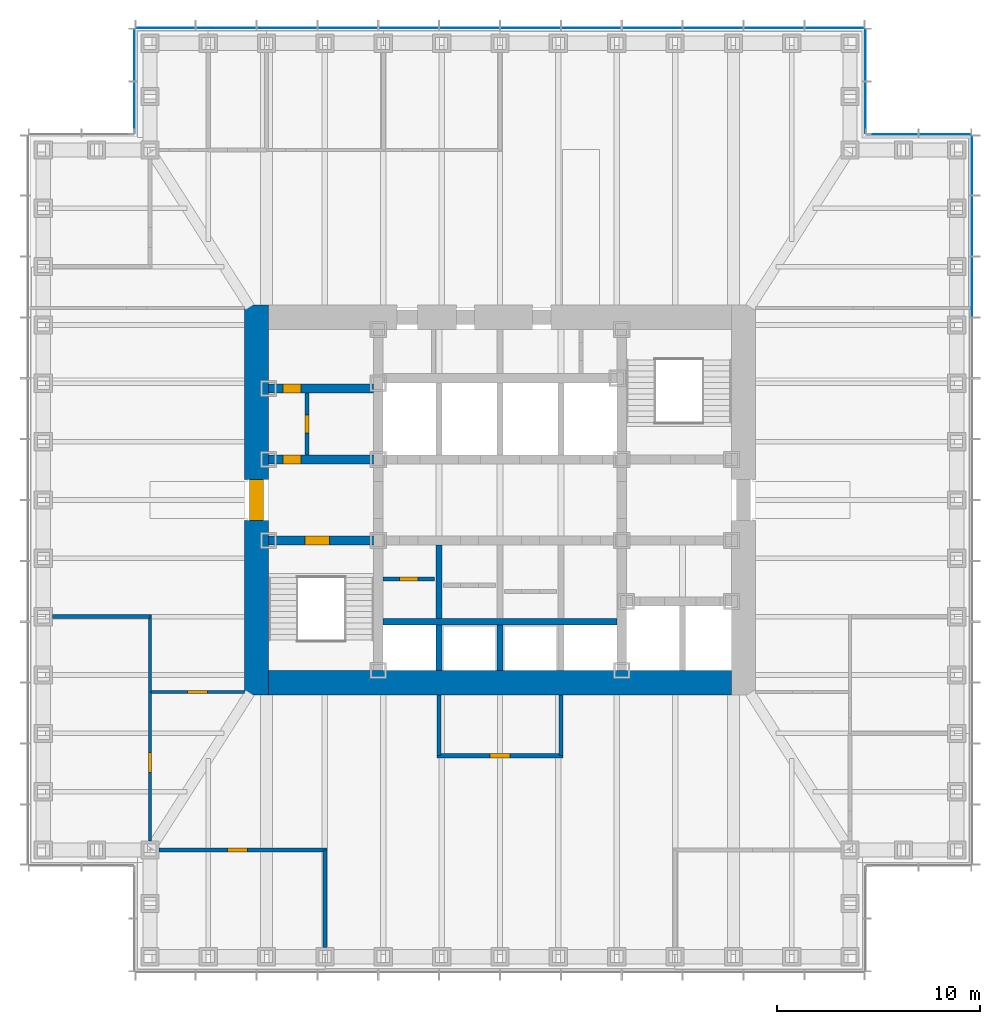
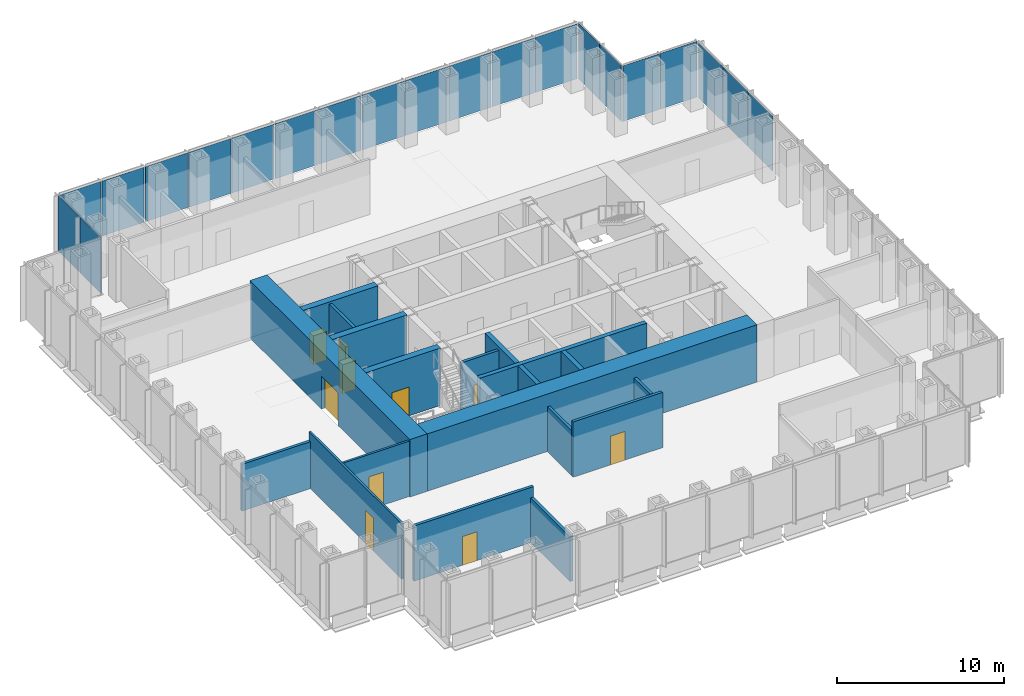
# One storey, part 8 of 16: 21 plates, 19 walls, 10 doors, 10 openings, 5 elements without a shape of their own.
"""IFC4 building model written with IfcOpenShell, lengths in metres."""

from ifc_helpers import new_model, si_unit, direction, frame, frame_2d, origin, origin_2d, place, context, subcontext, project, spatial, rectangle, extrude, material, layer, layer_set, type_object, element, fill, aggregate, save


model = new_model("IFC4")

# Units and contexts
model_context = context("Model", 3, precision=1e-05, world=origin(), true_north=direction((0.0, 1.0)))
body_context = subcontext(model_context, "Body", "Model", "MODEL_VIEW")
ifc_project = project(units=[si_unit("LENGTHUNIT", "METRE"), si_unit("AREAUNIT", "SQUARE_METRE"), si_unit("VOLUMEUNIT", "CUBIC_METRE"), si_unit("PLANEANGLEUNIT", "RADIAN"), si_unit("MASSUNIT", "GRAM", prefix="KILO")], contexts=[model_context])

# Site, building, storey
site_placement = place(None, origin())
site = spatial("IfcSite", under=ifc_project, at=site_placement, CompositionType="ELEMENT")
building_placement = place(site_placement, origin())
building = spatial("IfcBuilding", under=site, at=building_placement, Name="Daluyong Arena Tower", CompositionType="ELEMENT")
storey_placement = place(building_placement, frame((0.0, 0.0, 133.300048828125)))
storey = spatial("IfcBuildingStorey", under=building, at=storey_placement, Name="L29", CompositionType="ELEMENT", Elevation=133.300048828125)

# Curtain wall, plates
ifc_material_1 = material(Name="Bronze anodised aluminium and glass", Category="aluminium")
curtain_wall_type_1 = type_object("IfcCurtainWallType", Name="Curtain wall CW2", PredefinedType="USERDEFINED", material=ifc_material_1)
curtain_wall_1_placement = place(storey_placement, origin())
curtain_wall_1 = element("IfcCurtainWall", 1, at=curtain_wall_1_placement, inside=storey, type_object=curtain_wall_type_1, Name="curtain wall L29 E", ObjectType="UNITISED CURTAIN WALL", PredefinedType="USERDEFINED")
ifc_material_2 = material(Name="Tinted double glazed unit", Category="glass")
ifc_layer_1 = layer(ifc_material_2, 0.031982421875)
ifc_layer_set_1 = layer_set([ifc_layer_1], Name="Tinted double glazed unit")
plate_type_1 = type_object("IfcPlateType", Name="CW2 panel 32", PredefinedType="CURTAIN_PANEL", material=ifc_layer_set_1)
plate_1_placement = place(storey_placement, frame((79.25, 90.5, 0.0), z_axis=(0.0, 0.0, 1.0), x_axis=(0.0, 1.0, 0.0)))
plate_1 = element("IfcPlate", 2, at=plate_1_placement, type_object=plate_type_1, Name="curtain wall L29 E panel 10", PredefinedType="CURTAIN_PANEL", context=body_context, shape_type="SweptSolid", body=[
    extrude(rectangle(XDim=2.919921875, YDim=0.031982421875, at=origin_2d()), origin(), (0.0, 0.0, 1.0), 4.02001953125),
])
plate_2_placement = place(storey_placement, frame((79.25, 93.5, 0.0), z_axis=(0.0, 0.0, 1.0), x_axis=(0.0, 1.0, 0.0)))
plate_2 = element("IfcPlate", 3, at=plate_2_placement, type_object=plate_type_1, Name="curtain wall L29 E panel 11", PredefinedType="CURTAIN_PANEL", context=body_context, shape_type="SweptSolid", body=[
    extrude(rectangle(XDim=2.919921875, YDim=0.031982421875, at=origin_2d()), origin(), (0.0, 0.0, 1.0), 4.02001953125),
])
plate_3_placement = place(storey_placement, frame((79.25, 96.47998046875, 0.0), z_axis=(0.0, 0.0, 1.0), x_axis=(0.0, 1.0, 0.0)))
plate_3 = element("IfcPlate", 4, at=plate_3_placement, type_object=plate_type_1, Name="curtain wall L29 E panel 12", PredefinedType="CURTAIN_PANEL", context=body_context, shape_type="SweptSolid", body=[
    extrude(rectangle(XDim=2.8798828125, YDim=0.031982421875, at=origin_2d()), origin(), (0.0, 0.0, 1.0), 4.02001953125),
])
aggregate(curtain_wall_1, [plate_1, plate_2, plate_3])

curtain_wall_2_placement = place(storey_placement, origin())
curtain_wall_2 = element("IfcCurtainWall", 5, at=curtain_wall_2_placement, inside=storey, type_object=curtain_wall_type_1, Name="curtain wall L29 N", ObjectType="UNITISED CURTAIN WALL", PredefinedType="USERDEFINED")
plate_4_placement = place(storey_placement, frame((72.47998046875, 103.25, 0.0), z_axis=(0.0, 0.0, 1.0), x_axis=(-1.0, 0.0, 0.0)))
plate_4 = element("IfcPlate", 6, at=plate_4_placement, type_object=plate_type_1, Name="curtain wall L29 N panel 1", PredefinedType="CURTAIN_PANEL", context=body_context, shape_type="SweptSolid", body=[
    extrude(rectangle(XDim=2.8798828125, YDim=0.031982421875, at=origin_2d()), origin(), (0.0, 0.0, 1.0), 4.02001953125),
])
plate_5_placement = place(storey_placement, frame((69.5, 103.25, 0.0), z_axis=(0.0, 0.0, 1.0), x_axis=(-1.0, 0.0, 0.0)))
plate_5 = element("IfcPlate", 7, at=plate_5_placement, type_object=plate_type_1, Name="curtain wall L29 N panel 2", PredefinedType="CURTAIN_PANEL", context=body_context, shape_type="SweptSolid", body=[
    extrude(rectangle(XDim=2.919921875, YDim=0.031982421875, at=origin_2d()), origin(), (0.0, 0.0, 1.0), 4.02001953125),
])
plate_6_placement = place(storey_placement, frame((66.5, 103.25, 0.0), z_axis=(0.0, 0.0, 1.0), x_axis=(-1.0, 0.0, 0.0)))
plate_6 = element("IfcPlate", 8, at=plate_6_placement, type_object=plate_type_1, Name="curtain wall L29 N panel 3", PredefinedType="CURTAIN_PANEL", context=body_context, shape_type="SweptSolid", body=[
    extrude(rectangle(XDim=2.919921875, YDim=0.031982421875, at=origin_2d()), origin(), (0.0, 0.0, 1.0), 4.02001953125),
])
plate_7_placement = place(storey_placement, frame((63.5, 103.25, 0.0), z_axis=(0.0, 0.0, 1.0), x_axis=(-1.0, 0.0, 0.0)))
plate_7 = element("IfcPlate", 9, at=plate_7_placement, type_object=plate_type_1, Name="curtain wall L29 N panel 4", PredefinedType="CURTAIN_PANEL", context=body_context, shape_type="SweptSolid", body=[
    extrude(rectangle(XDim=2.919921875, YDim=0.031982421875, at=origin_2d()), origin(), (0.0, 0.0, 1.0), 4.02001953125),
])
plate_8_placement = place(storey_placement, frame((60.5, 103.25, 0.0), z_axis=(0.0, 0.0, 1.0), x_axis=(-1.0, 0.0, 0.0)))
plate_8 = element("IfcPlate", 10, at=plate_8_placement, type_object=plate_type_1, Name="curtain wall L29 N panel 5", PredefinedType="CURTAIN_PANEL", context=body_context, shape_type="SweptSolid", body=[
    extrude(rectangle(XDim=2.919921875, YDim=0.031982421875, at=origin_2d()), origin(), (0.0, 0.0, 1.0), 4.02001953125),
])
plate_9_placement = place(storey_placement, frame((57.5, 103.25, 0.0), z_axis=(0.0, 0.0, 1.0), x_axis=(-1.0, 0.0, 0.0)))
plate_9 = element("IfcPlate", 11, at=plate_9_placement, type_object=plate_type_1, Name="curtain wall L29 N panel 6", PredefinedType="CURTAIN_PANEL", context=body_context, shape_type="SweptSolid", body=[
    extrude(rectangle(XDim=2.919921875, YDim=0.031982421875, at=origin_2d()), origin(), (0.0, 0.0, 1.0), 4.02001953125),
])
plate_10_placement = place(storey_placement, frame((54.5, 103.25, 0.0), z_axis=(0.0, 0.0, 1.0), x_axis=(-1.0, 0.0, 0.0)))
plate_10 = element("IfcPlate", 12, at=plate_10_placement, type_object=plate_type_1, Name="curtain wall L29 N panel 7", PredefinedType="CURTAIN_PANEL", context=body_context, shape_type="SweptSolid", body=[
    extrude(rectangle(XDim=2.919921875, YDim=0.031982421875, at=origin_2d()), origin(), (0.0, 0.0, 1.0), 4.02001953125),
])
plate_11_placement = place(storey_placement, frame((51.5, 103.25, 0.0), z_axis=(0.0, 0.0, 1.0), x_axis=(-1.0, 0.0, 0.0)))
plate_11 = element("IfcPlate", 13, at=plate_11_placement, type_object=plate_type_1, Name="curtain wall L29 N panel 8", PredefinedType="CURTAIN_PANEL", context=body_context, shape_type="SweptSolid", body=[
    extrude(rectangle(XDim=2.919921875, YDim=0.031982421875, at=origin_2d()), origin(), (0.0, 0.0, 1.0), 4.02001953125),
])
plate_12_placement = place(storey_placement, frame((48.5, 103.25, 0.0), z_axis=(0.0, 0.0, 1.0), x_axis=(-1.0, 0.0, 0.0)))
plate_12 = element("IfcPlate", 14, at=plate_12_placement, type_object=plate_type_1, Name="curtain wall L29 N panel 9", PredefinedType="CURTAIN_PANEL", context=body_context, shape_type="SweptSolid", body=[
    extrude(rectangle(XDim=2.919921875, YDim=0.031982421875, at=origin_2d()), origin(), (0.0, 0.0, 1.0), 4.02001953125),
])
plate_13_placement = place(storey_placement, frame((45.5, 103.25, 0.0), z_axis=(0.0, 0.0, 1.0), x_axis=(-1.0, 0.0, 0.0)))
plate_13 = element("IfcPlate", 15, at=plate_13_placement, type_object=plate_type_1, Name="curtain wall L29 N panel 10", PredefinedType="CURTAIN_PANEL", context=body_context, shape_type="SweptSolid", body=[
    extrude(rectangle(XDim=2.919921875, YDim=0.031982421875, at=origin_2d()), origin(), (0.0, 0.0, 1.0), 4.02001953125),
])
plate_14_placement = place(storey_placement, frame((42.5, 103.25, 0.0), z_axis=(0.0, 0.0, 1.0), x_axis=(-1.0, 0.0, 0.0)))
plate_14 = element("IfcPlate", 16, at=plate_14_placement, type_object=plate_type_1, Name="curtain wall L29 N panel 11", PredefinedType="CURTAIN_PANEL", context=body_context, shape_type="SweptSolid", body=[
    extrude(rectangle(XDim=2.919921875, YDim=0.031982421875, at=origin_2d()), origin(), (0.0, 0.0, 1.0), 4.02001953125),
])
plate_15_placement = place(storey_placement, frame((39.52001953125, 103.25, 0.0), z_axis=(0.0, 0.0, 1.0), x_axis=(-1.0, 0.0, 0.0)))
plate_15 = element("IfcPlate", 17, at=plate_15_placement, type_object=plate_type_1, Name="curtain wall L29 N panel 12", PredefinedType="CURTAIN_PANEL", context=body_context, shape_type="SweptSolid", body=[
    extrude(rectangle(XDim=2.8798828125, YDim=0.031982421875, at=origin_2d()), origin(), (0.0, 0.0, 1.0), 4.02001953125),
])
aggregate(curtain_wall_2, [plate_4, plate_5, plate_6, plate_7, plate_8, plate_9, plate_10, plate_11, plate_12, plate_13, plate_14, plate_15])

ifc_material_3 = material(Name="Bronze anodised aluminium and glass", Category="aluminium")
curtain_wall_type_2 = type_object("IfcCurtainWallType", Name="Curtain wall CW7", PredefinedType="USERDEFINED", material=ifc_material_3)
curtain_wall_3_placement = place(storey_placement, origin())
curtain_wall_3 = element("IfcCurtainWall", 18, at=curtain_wall_3_placement, inside=storey, type_object=curtain_wall_type_2, Name="curtain wall L29 NE-N", ObjectType="UNITISED CURTAIN WALL", PredefinedType="USERDEFINED")
ifc_material_4 = material(Name="Tinted double glazed unit", Category="glass")
ifc_layer_2 = layer(ifc_material_4, 0.028076171875)
ifc_layer_set_2 = layer_set([ifc_layer_2], Name="Tinted double glazed unit")
plate_type_2 = type_object("IfcPlateType", Name="CW7 panel 28", PredefinedType="CURTAIN_PANEL", material=ifc_layer_set_2)
plate_16_placement = place(storey_placement, frame((77.922607421875, 98.0, 0.0), z_axis=(0.0, 0.0, 1.0), x_axis=(-1.0, 0.0, 0.0)))
plate_16 = element("IfcPlate", 19, at=plate_16_placement, type_object=plate_type_2, Name="curtain wall L29 NE-N panel 1", PredefinedType="CURTAIN_PANEL", context=body_context, shape_type="SweptSolid", body=[
    extrude(rectangle(XDim=2.534912109375, YDim=0.028076171875, at=origin_2d()), origin(), (0.0, 0.0, 1.0), 4.080078125),
])
plate_17_placement = place(storey_placement, frame((75.327392578125, 98.0, 0.0), z_axis=(0.0, 0.0, 1.0), x_axis=(-1.0, 0.0, 0.0)))
plate_17 = element("IfcPlate", 20, at=plate_17_placement, type_object=plate_type_2, Name="curtain wall L29 NE-N panel 2", PredefinedType="CURTAIN_PANEL", context=body_context, shape_type="SweptSolid", body=[
    extrude(rectangle(XDim=2.534912109375, YDim=0.028076171875, at=origin_2d()), origin(), (0.0, 0.0, 1.0), 4.080078125),
])
aggregate(curtain_wall_3, [plate_16, plate_17])

curtain_wall_4_placement = place(storey_placement, origin())
curtain_wall_4 = element("IfcCurtainWall", 21, at=curtain_wall_4_placement, inside=storey, type_object=curtain_wall_type_2, Name="curtain wall L29 NE-E", ObjectType="UNITISED CURTAIN WALL", PredefinedType="USERDEFINED")
plate_18_placement = place(storey_placement, frame((74.0, 99.327392578125, 0.0), z_axis=(0.0, 0.0, 1.0), x_axis=(0.0, 1.0, 0.0)))
plate_18 = element("IfcPlate", 22, at=plate_18_placement, type_object=plate_type_2, Name="curtain wall L29 NE-E panel 1", PredefinedType="CURTAIN_PANEL", context=body_context, shape_type="SweptSolid", body=[
    extrude(rectangle(XDim=2.534912109375, YDim=0.028076171875, at=origin_2d()), origin(), (0.0, 0.0, 1.0), 4.080078125),
])
plate_19_placement = place(storey_placement, frame((74.0, 101.922607421875, 0.0), z_axis=(0.0, 0.0, 1.0), x_axis=(0.0, 1.0, 0.0)))
plate_19 = element("IfcPlate", 23, at=plate_19_placement, type_object=plate_type_2, Name="curtain wall L29 NE-E panel 2", PredefinedType="CURTAIN_PANEL", context=body_context, shape_type="SweptSolid", body=[
    extrude(rectangle(XDim=2.534912109375, YDim=0.028076171875, at=origin_2d()), origin(), (0.0, 0.0, 1.0), 4.080078125),
])
aggregate(curtain_wall_4, [plate_18, plate_19])

curtain_wall_5_placement = place(storey_placement, origin())
curtain_wall_5 = element("IfcCurtainWall", 24, at=curtain_wall_5_placement, inside=storey, type_object=curtain_wall_type_2, Name="curtain wall L29 NW-W", ObjectType="UNITISED CURTAIN WALL", PredefinedType="USERDEFINED")
plate_20_placement = place(storey_placement, frame((38.0, 101.922607421875, 0.0), z_axis=(0.0, 0.0, 1.0), x_axis=(0.0, -1.0, 0.0)))
plate_20 = element("IfcPlate", 25, at=plate_20_placement, type_object=plate_type_2, Name="curtain wall L29 NW-W panel 1", PredefinedType="CURTAIN_PANEL", context=body_context, shape_type="SweptSolid", body=[
    extrude(rectangle(XDim=2.534912109375, YDim=0.028076171875, at=origin_2d()), origin(), (0.0, 0.0, 1.0), 4.080078125),
])
plate_21_placement = place(storey_placement, frame((38.0, 99.327392578125, 0.0), z_axis=(0.0, 0.0, 1.0), x_axis=(0.0, -1.0, 0.0)))
plate_21 = element("IfcPlate", 26, at=plate_21_placement, type_object=plate_type_2, Name="curtain wall L29 NW-W panel 2", PredefinedType="CURTAIN_PANEL", context=body_context, shape_type="SweptSolid", body=[
    extrude(rectangle(XDim=2.534912109375, YDim=0.028076171875, at=origin_2d()), origin(), (0.0, 0.0, 1.0), 4.080078125),
])
aggregate(curtain_wall_5, [plate_20, plate_21])

# Wall, opening, door
ifc_material_5 = material(Name="Concrete fc' 45 MPa", Category="concrete")
ifc_layer_3 = layer(ifc_material_5, 0.449951171875)
ifc_layer_set_3 = layer_set([ifc_layer_3], Name="Concrete fc' 45 MPa")
wall_type_1 = type_object("IfcWallType", Name="Core inner wall 450", PredefinedType="SHEAR", material=ifc_layer_set_3)
wall_1_placement = place(storey_placement, frame((44.60009765625, 78.0, 0.0), z_axis=(0.0, 0.0, 1.0), x_axis=(1.0, 0.0, 0.0)))
wall_1 = element("IfcWall", 27, at=wall_1_placement, inside=storey, type_object=wall_type_1, Name="core inner wall at L29", PredefinedType="SHEAR", context=body_context, shape_type="SweptSolid", body=[
    extrude(rectangle(XDim=5.1748046875, YDim=0.449951171875, at=frame_2d((2.58740234375, 0.0))), origin(), (0.0, 0.0, 1.0), 4.199951171875),
])
opening_1_placement = place(wall_1_placement, frame((1.800048828125, 0.0, 0.0)))
opening_1 = element("IfcOpeningElement", 28, at=opening_1_placement, cuts=wall_1, Name="Opening 29015", PredefinedType="OPENING", context=body_context, shape_type="SweptSolid", body=[
    extrude(rectangle(XDim=1.199951171875, YDim=2.10009765625, at=frame_2d((0.60009765625, 1.050048828125))), frame((0.0, 0.23486328125, 0.0), z_axis=(0.0, -1.0, 0.0), x_axis=(1.0, 0.0, 0.0)), (0.0, 0.0, 1.0), 0.469970703125),
])
ifc_material_6 = material(Name="Steel door, fire rated", Category="steel")
door_type_1 = type_object("IfcDoorType", Name="Stair door 1200", OperationType="SINGLE_SWING_LEFT", PredefinedType="DOOR", material=ifc_material_6)
door_1_placement = place(opening_1_placement, origin())
door_1 = element("IfcDoor", 29, at=door_1_placement, inside=storey, type_object=door_type_1, Name="stair A door 29015", OperationType="SINGLE_SWING_LEFT", OverallHeight=2.10009765625, OverallWidth=1.199951171875, PredefinedType="DOOR", context=body_context, shape_type="SweptSolid", body=[
    extrude(rectangle(XDim=1.199951171875, YDim=2.10009765625, at=frame_2d((0.60009765625, 1.050048828125))), frame((0.0, 0.224609375, 0.0), z_axis=(0.0, -1.0, 0.0), x_axis=(1.0, 0.0, 0.0)), (0.0, 0.0, 1.0), 0.449462890625),
])
fill(opening_1, door_1)

wall_2_placement = place(storey_placement, frame((44.60009765625, 82.0, 0.0), z_axis=(0.0, 0.0, 1.0), x_axis=(1.0, 0.0, 0.0)))
wall_2 = element("IfcWall", 30, at=wall_2_placement, inside=storey, type_object=wall_type_1, Name="core inner wall at L29", PredefinedType="SHEAR", context=body_context, shape_type="SweptSolid", body=[
    extrude(rectangle(XDim=5.1748046875, YDim=0.449951171875, at=frame_2d((2.58740234375, 0.0))), origin(), (0.0, 0.0, 1.0), 4.199951171875),
])
opening_2_placement = place(wall_2_placement, frame((0.699951171875, 0.0, 0.0)))
opening_2 = element("IfcOpeningElement", 31, at=opening_2_placement, cuts=wall_2, Name="Opening 29001", PredefinedType="OPENING", context=body_context, shape_type="SweptSolid", body=[
    extrude(rectangle(XDim=0.89990234375, YDim=2.10009765625, at=frame_2d((0.449951171875, 1.050048828125))), frame((0.0, 0.23486328125, 0.0), z_axis=(0.0, -1.0, 0.0), x_axis=(1.0, 0.0, 0.0)), (0.0, 0.0, 1.0), 0.469970703125),
])
ifc_material_7 = material(Name="Steel door, fire rated", Category="steel")
door_type_2 = type_object("IfcDoorType", Name="Core room door 900", OperationType="SINGLE_SWING_LEFT", PredefinedType="DOOR", material=ifc_material_7)
door_2_placement = place(opening_2_placement, origin())
door_2 = element("IfcDoor", 32, at=door_2_placement, inside=storey, type_object=door_type_2, Name="toilet lobby door 29001", OperationType="SINGLE_SWING_LEFT", OverallHeight=2.10009765625, OverallWidth=0.89990234375, PredefinedType="DOOR", context=body_context, shape_type="SweptSolid", body=[
    extrude(rectangle(XDim=0.89990234375, YDim=2.10009765625, at=frame_2d((0.449951171875, 1.050048828125))), frame((0.0, 0.224609375, 0.0), z_axis=(0.0, -1.0, 0.0), x_axis=(1.0, 0.0, 0.0)), (0.0, 0.0, 1.0), 0.449462890625),
])
fill(opening_2, door_2)

wall_3_placement = place(storey_placement, frame((44.60009765625, 85.5, 0.0), z_axis=(0.0, 0.0, 1.0), x_axis=(1.0, 0.0, 0.0)))
wall_3 = element("IfcWall", 33, at=wall_3_placement, inside=storey, type_object=wall_type_1, Name="core inner wall at L29", PredefinedType="SHEAR", context=body_context, shape_type="SweptSolid", body=[
    extrude(rectangle(XDim=5.1748046875, YDim=0.449951171875, at=frame_2d((2.58740234375, 0.0))), origin(), (0.0, 0.0, 1.0), 4.199951171875),
])
opening_3_placement = place(wall_3_placement, frame((0.699951171875, 0.0, 0.0)))
opening_3 = element("IfcOpeningElement", 34, at=opening_3_placement, cuts=wall_3, Name="Opening 29003", PredefinedType="OPENING", context=body_context, shape_type="SweptSolid", body=[
    extrude(rectangle(XDim=0.89990234375, YDim=2.10009765625, at=frame_2d((0.449951171875, 1.050048828125))), frame((0.0, 0.23486328125, 0.0), z_axis=(0.0, -1.0, 0.0), x_axis=(1.0, 0.0, 0.0)), (0.0, 0.0, 1.0), 0.469970703125),
])
ifc_material_8 = material(Name="Timber door", Category="wood")
door_type_3 = type_object("IfcDoorType", Name="Toilet door 900", OperationType="SINGLE_SWING_RIGHT", PredefinedType="DOOR", material=ifc_material_8)
door_3_placement = place(opening_3_placement, origin())
door_3 = element("IfcDoor", 35, at=door_3_placement, inside=storey, type_object=door_type_3, Name="female toilet door 29003", OperationType="SINGLE_SWING_RIGHT", OverallHeight=2.10009765625, OverallWidth=0.89990234375, PredefinedType="DOOR", context=body_context, shape_type="SweptSolid", body=[
    extrude(rectangle(XDim=0.89990234375, YDim=2.10009765625, at=frame_2d((0.449951171875, 1.050048828125))), frame((0.0, 0.224609375, 0.0), z_axis=(0.0, -1.0, 0.0), x_axis=(1.0, 0.0, 0.0)), (0.0, 0.0, 1.0), 0.449462890625),
])
fill(opening_3, door_3)

ifc_material_9 = material(Name="Concrete fc' 60 MPa", Category="concrete")
ifc_layer_4 = layer(ifc_material_9, 1.199951171875)
ifc_layer_set_4 = layer_set([ifc_layer_4], Name="Concrete fc' 60 MPa")
wall_type_2 = type_object("IfcWallType", Name="Core wall 1200", PredefinedType="SHEAR", material=ifc_layer_set_4)
wall_4_placement = place(storey_placement, frame((44.0, 70.39990234375, 0.0), z_axis=(0.0, 0.0, 1.0), x_axis=(0.0, 1.0, 0.0)))
wall_4 = element("IfcWall", 36, at=wall_4_placement, inside=storey, type_object=wall_type_2, Name="core wall at L29", PredefinedType="SHEAR", context=body_context, shape_type="SweptSolid", body=[
    extrude(rectangle(XDim=19.2001953125, YDim=1.199951171875, at=frame_2d((9.60009765625, 0.0))), origin(), (0.0, 0.0, 1.0), 4.199951171875),
])
opening_4_placement = place(wall_4_placement, frame((8.60009765625, 0.0, 0.0)))
opening_4 = element("IfcOpeningElement", 37, at=opening_4_placement, cuts=wall_4, Name="Opening 29017", PredefinedType="OPENING", context=body_context, shape_type="SweptSolid", body=[
    extrude(rectangle(XDim=2.0, YDim=2.39990234375, at=frame_2d((1.0, 1.199951171875))), frame((0.0, 0.60986328125, 0.0), z_axis=(0.0, -1.0, 0.0), x_axis=(1.0, 0.0, 0.0)), (0.0, 0.0, 1.0), 1.219970703125),
])
ifc_material_10 = material(Name="Steel door, fire rated", Category="steel")
door_type_4 = type_object("IfcDoorType", Name="Core lobby double door 2000", OperationType="DOUBLE_DOOR_SINGLE_SWING", PredefinedType="DOOR", material=ifc_material_10)
door_4_placement = place(opening_4_placement, origin())
door_4 = element("IfcDoor", 38, at=door_4_placement, inside=storey, type_object=door_type_4, Name="core lobby door west 29017", OperationType="DOUBLE_DOOR_SINGLE_SWING", OverallHeight=2.39990234375, OverallWidth=2.0, PredefinedType="DOOR", context=body_context, shape_type="SweptSolid", body=[
    extrude(rectangle(XDim=2.0, YDim=2.39990234375, at=frame_2d((1.0, 1.199951171875))), frame((0.0, 0.35009765625, 0.0), z_axis=(0.0, -1.0, 0.0), x_axis=(1.0, 0.0, 0.0)), (0.0, 0.0, 1.0), 0.699951171875),
])
fill(opening_4, door_4)

# Wall
wall_5_placement = place(storey_placement, frame((44.60009765625, 71.0, 0.0), z_axis=(0.0, 0.0, 1.0), x_axis=(1.0, 0.0, 0.0)))
element("IfcWall", 39, at=wall_5_placement, inside=storey, type_object=wall_type_2, Name="core wall at L29", PredefinedType="SHEAR", context=body_context, shape_type="SweptSolid", body=[
    extrude(rectangle(XDim=22.7998046875, YDim=1.199951171875, at=frame_2d((11.39990234375, 0.0))), origin(), (0.0, 0.0, 1.0), 4.199951171875),
])

# Wall, opening, door
ifc_material_11 = material(Name="Concrete block partition, fire rated", Category="concrete")
ifc_layer_5 = layer(ifc_material_11, 0.199951171875)
ifc_layer_set_5 = layer_set([ifc_layer_5], Name="Concrete block partition, fire rated")
wall_type_3 = type_object("IfcWallType", Name="Fire-rated partition 200", PredefinedType="PARTITIONING", material=ifc_layer_set_5)
wall_6_placement = place(storey_placement, frame((46.5, 82.22509765625, 0.0), z_axis=(0.0, 0.0, 1.0), x_axis=(0.0, 1.0, 0.0)))
wall_6 = element("IfcWall", 40, at=wall_6_placement, inside=storey, type_object=wall_type_3, Name="toilet lobby partition at L29", PredefinedType="PARTITIONING", context=body_context, shape_type="SweptSolid", body=[
    extrude(rectangle(XDim=3.0498046875, YDim=0.199951171875, at=frame_2d((1.52490234375, 0.0))), origin(), (0.0, 0.0, 1.0), 4.0400390625),
])
opening_5_placement = place(wall_6_placement, frame((1.074951171875, 0.0, 0.0)))
opening_5 = element("IfcOpeningElement", 41, at=opening_5_placement, cuts=wall_6, Name="Opening 29002", PredefinedType="OPENING", context=body_context, shape_type="SweptSolid", body=[
    extrude(rectangle(XDim=0.89990234375, YDim=2.10009765625, at=frame_2d((0.449951171875, 1.050048828125))), frame((0.0, 0.10986328125, 0.0), z_axis=(0.0, -1.0, 0.0), x_axis=(1.0, 0.0, 0.0)), (0.0, 0.0, 1.0), 0.219970703125),
])
door_5_placement = place(opening_5_placement, origin())
door_5 = element("IfcDoor", 42, at=door_5_placement, inside=storey, type_object=door_type_3, Name="male toilet door 29002", OperationType="SINGLE_SWING_RIGHT", OverallHeight=2.10009765625, OverallWidth=0.89990234375, PredefinedType="DOOR", context=body_context, shape_type="SweptSolid", body=[
    extrude(rectangle(XDim=0.89990234375, YDim=2.10009765625, at=frame_2d((0.449951171875, 1.050048828125))), frame((0.0, 0.099609375, 0.0), z_axis=(0.0, -1.0, 0.0), x_axis=(1.0, 0.0, 0.0)), (0.0, 0.0, 1.0), 0.199462890625),
])
fill(opening_5, door_5)

wall_7_placement = place(storey_placement, frame((50.22509765625, 76.10009765625, 0.0), z_axis=(0.0, 0.0, 1.0), x_axis=(1.0, 0.0, 0.0)))
wall_7 = element("IfcWall", 43, at=wall_7_placement, inside=storey, type_object=wall_type_3, Name="back store partition at L29", PredefinedType="PARTITIONING", context=body_context, shape_type="SweptSolid", body=[
    extrude(rectangle(XDim=2.5498046875, YDim=0.199951171875, at=frame_2d((1.27490234375, 0.0))), origin(), (0.0, 0.0, 1.0), 4.0400390625),
])
opening_6_placement = place(wall_7_placement, frame((0.824951171875, 0.0, 0.0)))
opening_6 = element("IfcOpeningElement", 44, at=opening_6_placement, cuts=wall_7, Name="Opening 29009", PredefinedType="OPENING", context=body_context, shape_type="SweptSolid", body=[
    extrude(rectangle(XDim=0.89990234375, YDim=2.10009765625, at=frame_2d((0.449951171875, 1.050048828125))), frame((0.0, 0.10986328125, 0.0), z_axis=(0.0, -1.0, 0.0), x_axis=(1.0, 0.0, 0.0)), (0.0, 0.0, 1.0), 0.219970703125),
])
ifc_material_12 = material(Name="Steel door, fire rated", Category="steel")
door_type_5 = type_object("IfcDoorType", Name="Core store door 900", OperationType="SINGLE_SWING_LEFT", PredefinedType="DOOR", material=ifc_material_12)
door_6_placement = place(opening_6_placement, origin())
door_6 = element("IfcDoor", 45, at=door_6_placement, inside=storey, type_object=door_type_5, Name="tenant store door 29009", OperationType="SINGLE_SWING_LEFT", OverallHeight=2.10009765625, OverallWidth=0.89990234375, PredefinedType="DOOR", context=body_context, shape_type="SweptSolid", body=[
    extrude(rectangle(XDim=0.89990234375, YDim=2.10009765625, at=frame_2d((0.449951171875, 1.050048828125))), frame((0.0, 0.099609375, 0.0), z_axis=(0.0, -1.0, 0.0), x_axis=(1.0, 0.0, 0.0)), (0.0, 0.0, 1.0), 0.199462890625),
])
fill(opening_6, door_6)

ifc_material_13 = material(Name="Glazed aluminium partition", Category="aluminium")
ifc_layer_6 = layer(ifc_material_13, 0.14990234375)
ifc_layer_set_6 = layer_set([ifc_layer_6], Name="Glazed aluminium partition")
wall_type_4 = type_object("IfcWallType", Name="Glazed partition 150", PredefinedType="PARTITIONING", material=ifc_layer_set_6)
wall_8_placement = place(storey_placement, frame((38.800048828125, 70.550048828125, 0.0), z_axis=(0.0, 0.0, 1.0), x_axis=(1.0, 0.0, 0.0)))
wall_8 = element("IfcWall", 46, at=wall_8_placement, inside=storey, type_object=wall_type_4, Name="glazed partition at L29", PredefinedType="PARTITIONING", context=body_context, shape_type="SweptSolid", body=[
    extrude(rectangle(XDim=4.599853515625, YDim=0.14990234375, at=frame_2d((2.2998046875, 0.0))), origin(), (0.0, 0.0, 1.0), 4.0400390625),
])
opening_7_placement = place(wall_8_placement, frame((1.800048828125, 0.0, 0.0)))
opening_7 = element("IfcOpeningElement", 47, at=opening_7_placement, cuts=wall_8, Name="Opening 29039", PredefinedType="OPENING", context=body_context, shape_type="SweptSolid", body=[
    extrude(rectangle(XDim=1.0, YDim=2.39990234375, at=frame_2d((0.5, 1.199951171875))), frame((0.0, 0.0849609375, 0.0), z_axis=(0.0, -1.0, 0.0), x_axis=(1.0, 0.0, 0.0)), (0.0, 0.0, 1.0), 0.169921875),
])
ifc_material_14 = material(Name="Glazed aluminium door", Category="aluminium")
door_type_6 = type_object("IfcDoorType", Name="Meeting room glazed door 1000", OperationType="SINGLE_SWING_RIGHT", PredefinedType="DOOR", material=ifc_material_14)
door_7_placement = place(opening_7_placement, origin())
door_7 = element("IfcDoor", 48, at=door_7_placement, inside=storey, type_object=door_type_6, Name="team area screen door 29039", OperationType="SINGLE_SWING_RIGHT", OverallHeight=2.39990234375, OverallWidth=1.0, PredefinedType="DOOR", context=body_context, shape_type="SweptSolid", body=[
    extrude(rectangle(XDim=1.0, YDim=2.39990234375, at=frame_2d((0.5, 1.199951171875))), frame((0.0, 0.07470703125, 0.0), z_axis=(0.0, -1.0, 0.0), x_axis=(1.0, 0.0, 0.0)), (0.0, 0.0, 1.0), 0.1494140625),
])
fill(opening_7, door_7)

wall_9_placement = place(storey_placement, frame((38.75, 63.199951171875, 0.0), z_axis=(0.0, 0.0, 1.0), x_axis=(0.0, 1.0, 0.0)))
wall_9 = element("IfcWall", 49, at=wall_9_placement, inside=storey, type_object=wall_type_4, Name="glazed partition at L29", PredefinedType="PARTITIONING", context=body_context, shape_type="SweptSolid", body=[
    extrude(rectangle(XDim=11.150146484375, YDim=0.14990234375, at=frame_2d((5.5751953125, 0.0))), origin(), (0.0, 0.0, 1.0), 4.0400390625),
])
opening_8_placement = place(wall_9_placement, frame((3.362548828125, 0.0, 0.0)))
opening_8 = element("IfcOpeningElement", 50, at=opening_8_placement, cuts=wall_9, Name="Opening 29036", PredefinedType="OPENING", context=body_context, shape_type="SweptSolid", body=[
    extrude(rectangle(XDim=1.0, YDim=2.39990234375, at=frame_2d((0.5, 1.199951171875))), frame((0.0, 0.0849609375, 0.0), z_axis=(0.0, -1.0, 0.0), x_axis=(1.0, 0.0, 0.0)), (0.0, 0.0, 1.0), 0.169921875),
])
door_8_placement = place(opening_8_placement, origin())
door_8 = element("IfcDoor", 51, at=door_8_placement, inside=storey, type_object=door_type_6, Name="boardroom door 29036", OperationType="SINGLE_SWING_RIGHT", OverallHeight=2.39990234375, OverallWidth=1.0, PredefinedType="DOOR", context=body_context, shape_type="SweptSolid", body=[
    extrude(rectangle(XDim=1.0, YDim=2.39990234375, at=frame_2d((0.5, 1.199951171875))), frame((0.0, 0.07470703125, 0.0), z_axis=(0.0, -1.0, 0.0), x_axis=(1.0, 0.0, 0.0)), (0.0, 0.0, 1.0), 0.1494140625),
])
fill(opening_8, door_8)

# Walls
ifc_material_15 = material(Name="Concrete fc' 45 MPa", Category="concrete")
ifc_layer_7 = layer(ifc_material_15, 0.300048828125)
ifc_layer_set_7 = layer_set([ifc_layer_7], Name="Concrete fc' 45 MPa")
wall_type_5 = type_object("IfcWallType", Name="Lift shaft wall 300", PredefinedType="SHEAR", material=ifc_layer_set_7)
wall_10_placement = place(storey_placement, frame((50.22509765625, 74.0, 0.0), z_axis=(0.0, 0.0, 1.0), x_axis=(1.0, 0.0, 0.0)))
element("IfcWall", 52, at=wall_10_placement, inside=storey, type_object=wall_type_5, Name="lift shaft wall at L29", PredefinedType="SHEAR", context=body_context, shape_type="SweptSolid", body=[
    extrude(rectangle(XDim=11.5498046875, YDim=0.300048828125, at=frame_2d((5.77490234375, 0.0))), origin(), (0.0, 0.0, 1.0), 4.199951171875),
])
wall_11_placement = place(storey_placement, frame((53.0, 71.60009765625, 0.0), z_axis=(0.0, 0.0, 1.0), x_axis=(0.0, 1.0, 0.0)))
element("IfcWall", 53, at=wall_11_placement, inside=storey, type_object=wall_type_5, Name="lift shaft wall at L29", PredefinedType="SHEAR", context=body_context, shape_type="SweptSolid", body=[
    extrude(rectangle(XDim=2.25, YDim=0.300048828125, at=frame_2d((1.125, 0.0))), origin(), (0.0, 0.0, 1.0), 4.199951171875),
])
wall_12_placement = place(storey_placement, frame((53.0, 74.14990234375, 0.0), z_axis=(0.0, 0.0, 1.0), x_axis=(0.0, 1.0, 0.0)))
element("IfcWall", 54, at=wall_12_placement, inside=storey, type_object=wall_type_5, Name="lift shaft wall at L29", PredefinedType="SHEAR", context=body_context, shape_type="SweptSolid", body=[
    extrude(rectangle(XDim=3.625, YDim=0.300048828125, at=frame_2d((1.8125, 0.0))), origin(), (0.0, 0.0, 1.0), 4.199951171875),
])
wall_13_placement = place(storey_placement, frame((56.0, 71.60009765625, 0.0), z_axis=(0.0, 0.0, 1.0), x_axis=(0.0, 1.0, 0.0)))
element("IfcWall", 55, at=wall_13_placement, inside=storey, type_object=wall_type_5, Name="lift shaft wall at L29", PredefinedType="SHEAR", context=body_context, shape_type="SweptSolid", body=[
    extrude(rectangle(XDim=2.25, YDim=0.300048828125, at=frame_2d((1.125, 0.0))), origin(), (0.0, 0.0, 1.0), 4.199951171875),
])
ifc_material_16 = material(Name="Concrete block partition", Category="concrete")
ifc_layer_8 = layer(ifc_material_16, 0.199951171875)
ifc_layer_set_8 = layer_set([ifc_layer_8], Name="Concrete block partition")
wall_type_6 = type_object("IfcWallType", Name="Partition 200", PredefinedType="PARTITIONING", material=ifc_layer_set_8)
wall_14_placement = place(storey_placement, frame((47.375, 57.949951171875, 0.0), z_axis=(0.0, 0.0, 1.0), x_axis=(0.0, 1.0, 0.0)))
element("IfcWall", 56, at=wall_14_placement, inside=storey, type_object=wall_type_6, Name="partition at L29", PredefinedType="PARTITIONING", context=body_context, shape_type="SweptSolid", body=[
    extrude(rectangle(XDim=4.800048828125, YDim=0.199951171875, at=frame_2d((2.39990234375, 0.0))), origin(), (0.0, 0.0, 1.0), 3.27783203125),
])
wall_15_placement = place(storey_placement, frame((33.949951171875, 74.25, 0.0), z_axis=(0.0, 0.0, 1.0), x_axis=(1.0, 0.0, 0.0)))
element("IfcWall", 57, at=wall_15_placement, inside=storey, type_object=wall_type_6, Name="partition at L29", PredefinedType="PARTITIONING", context=body_context, shape_type="SweptSolid", body=[
    extrude(rectangle(XDim=4.800048828125, YDim=0.199951171875, at=frame_2d((2.39990234375, 0.0))), origin(), (0.0, 0.0, 1.0), 3.427734375),
])
for number, where, z_axis, x_axis, name in (
    (58, (53.0, 67.39990234375, 0.0), (0.0, 0.0, 1.0), (0.0, 1.0, 0.0), "partition at L29"),
    (59, (59.0, 67.39990234375, 0.0), (0.0, 0.0, 1.0), (0.0, 1.0, 0.0), "partition at L29"),
):
    element("IfcWall", number, at=place(storey_placement, frame(where, z_axis=z_axis, x_axis=x_axis)), inside=storey, type_object=wall_type_6, Name=name, PredefinedType="PARTITIONING", context=body_context, shape_type="SweptSolid", body=[
        extrude(rectangle(XDim=3.0, YDim=0.199951171875, at=frame_2d((1.5, 0.0))), origin(), (0.0, 0.0, 1.0), 3.27783203125),
    ])

# Wall, opening, door
wall_16_placement = place(storey_placement, frame((39.199951171875, 62.75, 0.0), z_axis=(0.0, 0.0, 1.0), x_axis=(1.0, 0.0, 0.0)))
wall_16 = element("IfcWall", 60, at=wall_16_placement, inside=storey, type_object=wall_type_6, Name="partition at L29", PredefinedType="PARTITIONING", context=body_context, shape_type="SweptSolid", body=[
    extrude(rectangle(XDim=8.275146484375, YDim=0.199951171875, at=frame_2d((4.1376953125, 0.0))), origin(), (0.0, 0.0, 1.0), 4.0400390625),
])
opening_9_placement = place(wall_16_placement, frame((3.362548828125, 0.0, 0.0)))
opening_9 = element("IfcOpeningElement", 61, at=opening_9_placement, cuts=wall_16, Name="Opening 29028", PredefinedType="OPENING", context=body_context, shape_type="SweptSolid", body=[
    extrude(rectangle(XDim=1.0, YDim=2.10009765625, at=frame_2d((0.5, 1.050048828125))), frame((0.0, 0.10986328125, 0.0), z_axis=(0.0, -1.0, 0.0), x_axis=(1.0, 0.0, 0.0)), (0.0, 0.0, 1.0), 0.219970703125),
])
ifc_material_17 = material(Name="Timber door", Category="wood")
door_type_7 = type_object("IfcDoorType", Name="Room door 1000", OperationType="SINGLE_SWING_LEFT", PredefinedType="DOOR", material=ifc_material_17)
door_9_placement = place(opening_9_placement, origin())
door_9 = element("IfcDoor", 62, at=door_9_placement, inside=storey, type_object=door_type_7, Name="training room door 29028", OperationType="SINGLE_SWING_LEFT", OverallHeight=2.10009765625, OverallWidth=1.0, PredefinedType="DOOR", context=body_context, shape_type="SweptSolid", body=[
    extrude(rectangle(XDim=1.0, YDim=2.10009765625, at=frame_2d((0.5, 1.050048828125))), frame((0.0, 0.099609375, 0.0), z_axis=(0.0, -1.0, 0.0), x_axis=(1.0, 0.0, 0.0)), (0.0, 0.0, 1.0), 0.199462890625),
])
fill(opening_9, door_9)

wall_17_placement = place(storey_placement, frame((52.89990234375, 67.39990234375, 0.0), z_axis=(0.0, 0.0, 1.0), x_axis=(1.0, 0.0, 0.0)))
wall_17 = element("IfcWall", 63, at=wall_17_placement, inside=storey, type_object=wall_type_6, Name="partition at L29", PredefinedType="PARTITIONING", context=body_context, shape_type="SweptSolid", body=[
    extrude(rectangle(XDim=6.2001953125, YDim=0.199951171875, at=frame_2d((3.10009765625, 0.0))), origin(), (0.0, 0.0, 1.0), 4.0400390625),
])
opening_10_placement = place(wall_17_placement, frame((2.60009765625, 0.0, 0.0)))
opening_10 = element("IfcOpeningElement", 64, at=opening_10_placement, cuts=wall_17, Name="Opening 29038", PredefinedType="OPENING", context=body_context, shape_type="SweptSolid", body=[
    extrude(rectangle(XDim=1.0, YDim=2.10009765625, at=frame_2d((0.5, 1.050048828125))), frame((0.0, 0.10986328125, 0.0), z_axis=(0.0, -1.0, 0.0), x_axis=(1.0, 0.0, 0.0)), (0.0, 0.0, 1.0), 0.219970703125),
])
door_10_placement = place(opening_10_placement, origin())
door_10 = element("IfcDoor", 65, at=door_10_placement, inside=storey, type_object=door_type_7, Name="copy room door 29038", OperationType="SINGLE_SWING_LEFT", OverallHeight=2.10009765625, OverallWidth=1.0, PredefinedType="DOOR", context=body_context, shape_type="SweptSolid", body=[
    extrude(rectangle(XDim=1.0, YDim=2.10009765625, at=frame_2d((0.5, 1.050048828125))), frame((0.0, 0.099609375, 0.0), z_axis=(0.0, -1.0, 0.0), x_axis=(1.0, 0.0, 0.0)), (0.0, 0.0, 1.0), 0.199462890625),
])
fill(opening_10, door_10)

save(model, "model.ifc")
